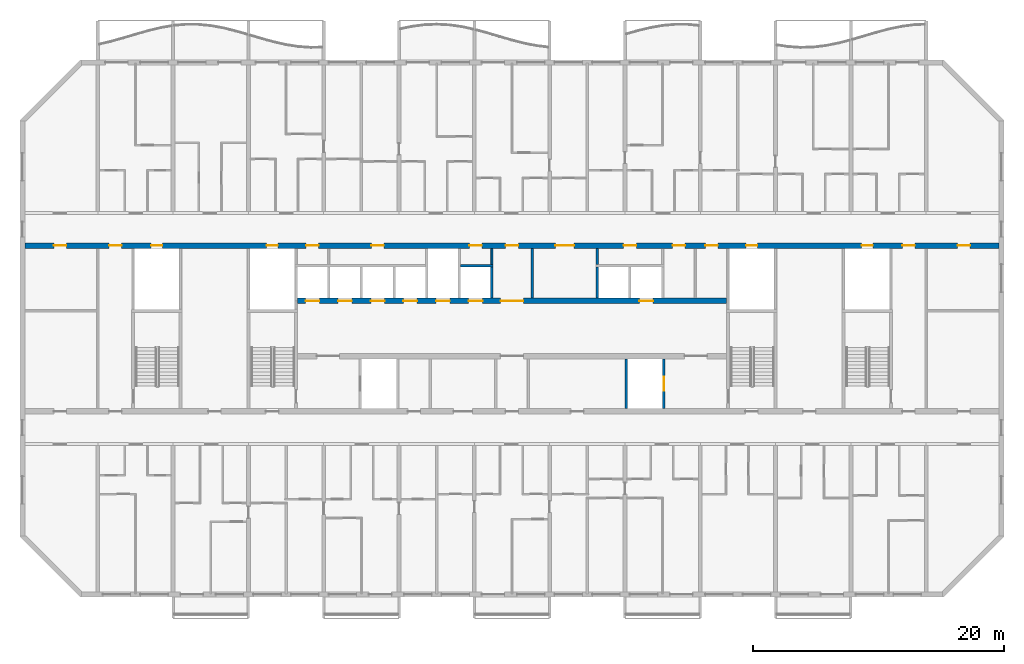
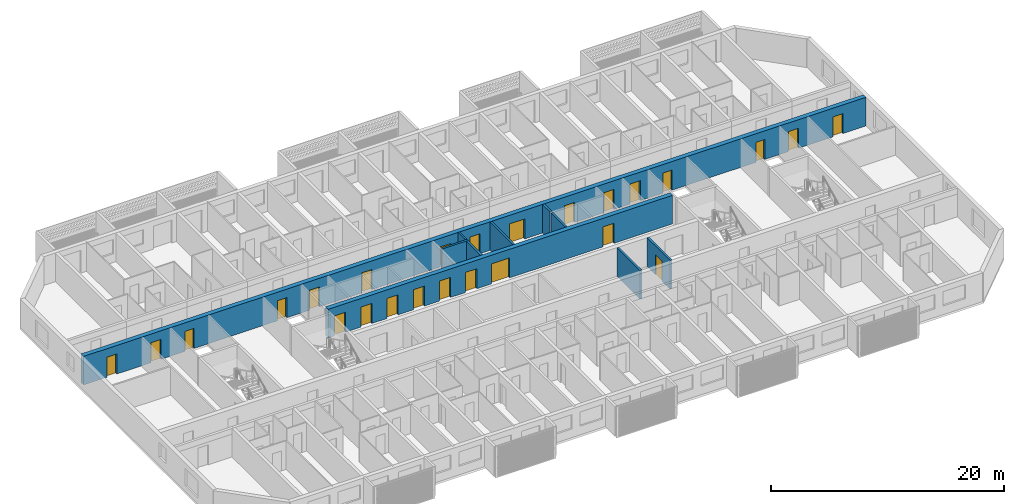
# One storey, part 7 of 32: 25 doors, 10 walls, 25 openings.
"""IFC4 building model written with IfcOpenShell, lengths in metres."""

from ifc_helpers import new_model, si_unit, direction, frame, frame_2d, origin, place, context, subcontext, project, spatial, rectangle, extrude, material, layer, layer_set, type_object, element, fill, save


model = new_model("IFC4")

# Units and contexts
model_context = context("Model", 3, precision=1e-05, world=origin(), true_north=direction((0.0, 1.0)))
body_context = subcontext(model_context, "Body", "Model", "MODEL_VIEW")
ifc_project = project(units=[si_unit("LENGTHUNIT", "METRE"), si_unit("AREAUNIT", "SQUARE_METRE"), si_unit("VOLUMEUNIT", "CUBIC_METRE"), si_unit("PLANEANGLEUNIT", "RADIAN"), si_unit("MASSUNIT", "GRAM", prefix="KILO")], contexts=[model_context])

# Site, building, storey
site_placement = place(None, origin())
site = spatial("IfcSite", under=ifc_project, at=site_placement, CompositionType="ELEMENT")
building_placement = place(site_placement, origin())
building = spatial("IfcBuilding", under=site, at=building_placement, Name="Poui Terraces", CompositionType="ELEMENT")
storey_placement = place(building_placement, frame((0.0, 0.0, 155.39990234375)))
storey = spatial("IfcBuildingStorey", under=building, at=storey_placement, Name="L43", CompositionType="ELEMENT", Elevation=155.39990234375)

# Wall, openings, doors
ifc_material_1 = material(Name="Concrete 65 MPa", Category="concrete")
ifc_layer_1 = layer(ifc_material_1, 0.449951171875)
ifc_layer_set_1 = layer_set([ifc_layer_1], Name="Concrete 65 MPa")
wall_type_1 = type_object("IfcWallType", Name="CORE WALL 450 65 MPA", PredefinedType="SOLIDWALL", material=ifc_layer_set_1)
wall_1_placement = place(storey_placement, frame((33.925048828125, 23.39990234375, 0.0), z_axis=(0.0, 0.0, 1.0), x_axis=(1.0, 0.0, 0.0)))
wall_1 = element("IfcWall", 1, at=wall_1_placement, inside=storey, type_object=wall_type_1, Name="CORE WALL", PredefinedType="SOLIDWALL", context=body_context, shape_type="SweptSolid", body=[
    extrude(rectangle(XDim=34.14990234375, YDim=0.449951171875, at=frame_2d((17.074951171875, 0.0))), origin(), (0.0, 0.0, 1.0), 3.0),
])
opening_1_placement = place(wall_1_placement, frame((16.175048828125, 0.0, 0.0)))
opening_1 = element("IfcOpeningElement", 2, at=opening_1_placement, cuts=wall_1, Name="Opening FDD60", PredefinedType="OPENING", context=body_context, shape_type="SweptSolid", body=[
    extrude(rectangle(XDim=1.800048828125, YDim=2.10009765625, at=frame_2d((0.89990234375, 1.050048828125))), frame((0.0, 0.23486328125, 0.0), z_axis=(0.0, -1.0, 0.0), x_axis=(1.0, 0.0, 0.0)), (0.0, 0.0, 1.0), 0.469970703125),
])
opening_2_placement = place(wall_1_placement, frame((0.625, 0.0, 0.0)))
opening_2 = element("IfcOpeningElement", 3, at=opening_2_placement, cuts=wall_1, Name="Opening LD", PredefinedType="OPENING", context=body_context, shape_type="SweptSolid", body=[
    extrude(rectangle(XDim=1.10009765625, YDim=2.10009765625, at=frame_2d((0.550048828125, 1.050048828125))), frame((0.0, 0.23486328125, 0.0), z_axis=(0.0, -1.0, 0.0), x_axis=(1.0, 0.0, 0.0)), (0.0, 0.0, 1.0), 0.469970703125),
])
opening_3_placement = place(wall_1_placement, frame((3.22509765625, 0.0, 0.0)))
opening_3 = element("IfcOpeningElement", 4, at=opening_3_placement, cuts=wall_1, Name="Opening LD", PredefinedType="OPENING", context=body_context, shape_type="SweptSolid", body=[
    extrude(rectangle(XDim=1.10009765625, YDim=2.10009765625, at=frame_2d((0.550048828125, 1.050048828125))), frame((0.0, 0.23486328125, 0.0), z_axis=(0.0, -1.0, 0.0), x_axis=(1.0, 0.0, 0.0)), (0.0, 0.0, 1.0), 0.469970703125),
])
opening_4_placement = place(wall_1_placement, frame((5.824951171875, 0.0, 0.0)))
opening_4 = element("IfcOpeningElement", 5, at=opening_4_placement, cuts=wall_1, Name="Opening LD", PredefinedType="OPENING", context=body_context, shape_type="SweptSolid", body=[
    extrude(rectangle(XDim=1.10009765625, YDim=2.10009765625, at=frame_2d((0.550048828125, 1.050048828125))), frame((0.0, 0.23486328125, 0.0), z_axis=(0.0, -1.0, 0.0), x_axis=(1.0, 0.0, 0.0)), (0.0, 0.0, 1.0), 0.469970703125),
])
opening_5_placement = place(wall_1_placement, frame((8.425048828125, 0.0, 0.0)))
opening_5 = element("IfcOpeningElement", 6, at=opening_5_placement, cuts=wall_1, Name="Opening LD", PredefinedType="OPENING", context=body_context, shape_type="SweptSolid", body=[
    extrude(rectangle(XDim=1.10009765625, YDim=2.10009765625, at=frame_2d((0.550048828125, 1.050048828125))), frame((0.0, 0.23486328125, 0.0), z_axis=(0.0, -1.0, 0.0), x_axis=(1.0, 0.0, 0.0)), (0.0, 0.0, 1.0), 0.469970703125),
])
opening_6_placement = place(wall_1_placement, frame((11.02490234375, 0.0, 0.0)))
opening_6 = element("IfcOpeningElement", 7, at=opening_6_placement, cuts=wall_1, Name="Opening LD", PredefinedType="OPENING", context=body_context, shape_type="SweptSolid", body=[
    extrude(rectangle(XDim=1.10009765625, YDim=2.10009765625, at=frame_2d((0.550048828125, 1.050048828125))), frame((0.0, 0.23486328125, 0.0), z_axis=(0.0, -1.0, 0.0), x_axis=(1.0, 0.0, 0.0)), (0.0, 0.0, 1.0), 0.469970703125),
])
opening_7_placement = place(wall_1_placement, frame((13.625, 0.0, 0.0)))
opening_7 = element("IfcOpeningElement", 8, at=opening_7_placement, cuts=wall_1, Name="Opening LD", PredefinedType="OPENING", context=body_context, shape_type="SweptSolid", body=[
    extrude(rectangle(XDim=1.10009765625, YDim=2.10009765625, at=frame_2d((0.550048828125, 1.050048828125))), frame((0.0, 0.23486328125, 0.0), z_axis=(0.0, -1.0, 0.0), x_axis=(1.0, 0.0, 0.0)), (0.0, 0.0, 1.0), 0.469970703125),
])
opening_8_placement = place(wall_1_placement, frame((27.22509765625, 0.0, 0.0)))
opening_8 = element("IfcOpeningElement", 9, at=opening_8_placement, cuts=wall_1, Name="Opening LD", PredefinedType="OPENING", context=body_context, shape_type="SweptSolid", body=[
    extrude(rectangle(XDim=1.10009765625, YDim=2.10009765625, at=frame_2d((0.550048828125, 1.050048828125))), frame((0.0, 0.23486328125, 0.0), z_axis=(0.0, -1.0, 0.0), x_axis=(1.0, 0.0, 0.0)), (0.0, 0.0, 1.0), 0.469970703125),
])
ifc_material_2 = material(Name="Steel fire door", Category="steel")
door_type_1 = type_object("IfcDoorType", Name="DOUBLE LOBBY FIRE DOOR 1800 X 2100", OperationType="DOUBLE_DOOR_SINGLE_SWING", PredefinedType="DOOR", material=ifc_material_2)
door_1_placement = place(opening_1_placement, origin())
door_1 = element("IfcDoor", 10, at=door_1_placement, inside=storey, type_object=door_type_1, Name="DOUBLE LOBBY FIRE DOOR 123", OperationType="DOUBLE_DOOR_SINGLE_SWING", OverallHeight=2.10009765625, OverallWidth=1.800048828125, PredefinedType="DOOR", context=body_context, shape_type="SweptSolid", body=[
    extrude(rectangle(XDim=1.800048828125, YDim=2.10009765625, at=frame_2d((0.89990234375, 1.050048828125))), frame((0.0, 0.02490234375, 0.0), z_axis=(0.0, -1.0, 0.0), x_axis=(1.0, 0.0, 0.0)), (0.0, 0.0, 1.0), 0.050048828125),
])
fill(opening_1, door_1)
ifc_material_3 = material(Name="Stainless steel sliding door", Category="steel")
door_type_2 = type_object("IfcDoorType", Name="LIFT LANDING DOOR 1100 X 2100", OperationType="DOUBLE_DOOR_SLIDING", PredefinedType="DOOR", material=ifc_material_3)
door_2_placement = place(opening_2_placement, origin())
door_2 = element("IfcDoor", 11, at=door_2_placement, inside=storey, type_object=door_type_2, Name="LANDING DOOR", OperationType="DOUBLE_DOOR_SLIDING", OverallHeight=2.10009765625, OverallWidth=1.10009765625, PredefinedType="DOOR", context=body_context, shape_type="SweptSolid", body=[
    extrude(rectangle(XDim=1.10009765625, YDim=2.10009765625, at=frame_2d((0.550048828125, 1.050048828125))), frame((0.0, 0.02490234375, 0.0), z_axis=(0.0, -1.0, 0.0), x_axis=(1.0, 0.0, 0.0)), (0.0, 0.0, 1.0), 0.050048828125),
])
fill(opening_2, door_2)
door_3_placement = place(opening_3_placement, origin())
door_3 = element("IfcDoor", 12, at=door_3_placement, inside=storey, type_object=door_type_2, Name="LANDING DOOR", OperationType="DOUBLE_DOOR_SLIDING", OverallHeight=2.10009765625, OverallWidth=1.10009765625, PredefinedType="DOOR", context=body_context, shape_type="SweptSolid", body=[
    extrude(rectangle(XDim=1.10009765625, YDim=2.10009765625, at=frame_2d((0.550048828125, 1.050048828125))), frame((0.0, 0.02490234375, 0.0), z_axis=(0.0, -1.0, 0.0), x_axis=(1.0, 0.0, 0.0)), (0.0, 0.0, 1.0), 0.050048828125),
])
fill(opening_3, door_3)
door_4_placement = place(opening_4_placement, origin())
door_4 = element("IfcDoor", 13, at=door_4_placement, inside=storey, type_object=door_type_2, Name="LANDING DOOR", OperationType="DOUBLE_DOOR_SLIDING", OverallHeight=2.10009765625, OverallWidth=1.10009765625, PredefinedType="DOOR", context=body_context, shape_type="SweptSolid", body=[
    extrude(rectangle(XDim=1.10009765625, YDim=2.10009765625, at=frame_2d((0.550048828125, 1.050048828125))), frame((0.0, 0.02490234375, 0.0), z_axis=(0.0, -1.0, 0.0), x_axis=(1.0, 0.0, 0.0)), (0.0, 0.0, 1.0), 0.050048828125),
])
fill(opening_4, door_4)
door_5_placement = place(opening_5_placement, origin())
door_5 = element("IfcDoor", 14, at=door_5_placement, inside=storey, type_object=door_type_2, Name="LANDING DOOR", OperationType="DOUBLE_DOOR_SLIDING", OverallHeight=2.10009765625, OverallWidth=1.10009765625, PredefinedType="DOOR", context=body_context, shape_type="SweptSolid", body=[
    extrude(rectangle(XDim=1.10009765625, YDim=2.10009765625, at=frame_2d((0.550048828125, 1.050048828125))), frame((0.0, 0.02490234375, 0.0), z_axis=(0.0, -1.0, 0.0), x_axis=(1.0, 0.0, 0.0)), (0.0, 0.0, 1.0), 0.050048828125),
])
fill(opening_5, door_5)
door_6_placement = place(opening_6_placement, origin())
door_6 = element("IfcDoor", 15, at=door_6_placement, inside=storey, type_object=door_type_2, Name="LANDING DOOR", OperationType="DOUBLE_DOOR_SLIDING", OverallHeight=2.10009765625, OverallWidth=1.10009765625, PredefinedType="DOOR", context=body_context, shape_type="SweptSolid", body=[
    extrude(rectangle(XDim=1.10009765625, YDim=2.10009765625, at=frame_2d((0.550048828125, 1.050048828125))), frame((0.0, 0.02490234375, 0.0), z_axis=(0.0, -1.0, 0.0), x_axis=(1.0, 0.0, 0.0)), (0.0, 0.0, 1.0), 0.050048828125),
])
fill(opening_6, door_6)
door_7_placement = place(opening_7_placement, origin())
door_7 = element("IfcDoor", 16, at=door_7_placement, inside=storey, type_object=door_type_2, Name="LANDING DOOR", OperationType="DOUBLE_DOOR_SLIDING", OverallHeight=2.10009765625, OverallWidth=1.10009765625, PredefinedType="DOOR", context=body_context, shape_type="SweptSolid", body=[
    extrude(rectangle(XDim=1.10009765625, YDim=2.10009765625, at=frame_2d((0.550048828125, 1.050048828125))), frame((0.0, 0.02490234375, 0.0), z_axis=(0.0, -1.0, 0.0), x_axis=(1.0, 0.0, 0.0)), (0.0, 0.0, 1.0), 0.050048828125),
])
fill(opening_7, door_7)
door_8_placement = place(opening_8_placement, origin())
door_8 = element("IfcDoor", 17, at=door_8_placement, inside=storey, type_object=door_type_2, Name="LANDING DOOR", OperationType="DOUBLE_DOOR_SLIDING", OverallHeight=2.10009765625, OverallWidth=1.10009765625, PredefinedType="DOOR", context=body_context, shape_type="SweptSolid", body=[
    extrude(rectangle(XDim=1.10009765625, YDim=2.10009765625, at=frame_2d((0.550048828125, 1.050048828125))), frame((0.0, 0.02490234375, 0.0), z_axis=(0.0, -1.0, 0.0), x_axis=(1.0, 0.0, 0.0)), (0.0, 0.0, 1.0), 0.050048828125),
])
fill(opening_8, door_8)

# Walls
ifc_material_4 = material(Name="Fire-rated plasterboard wall")
ifc_layer_2 = layer(ifc_material_4, 0.14990234375)
ifc_layer_set_2 = layer_set([ifc_layer_2], Name="Fire-rated plasterboard wall")
wall_type_2 = type_object("IfcWallType", Name="CORRIDOR WALL 150", PredefinedType="PARTITIONING", material=ifc_layer_set_2)
wall_2_placement = place(storey_placement, frame((49.39990234375, 26.300048828125, 0.0), z_axis=(0.0, 0.0, 1.0), x_axis=(0.0, 1.0, 0.0)))
element("IfcWall", 18, at=wall_2_placement, inside=storey, type_object=wall_type_2, Name="CORRIDOR WALL 150", PredefinedType="PARTITIONING", context=body_context, shape_type="SweptSolid", body=[
    extrude(rectangle(XDim=1.264892578125, YDim=0.14990234375, at=frame_2d((0.63232421875, 0.0))), origin(), (0.0, 0.0, 1.0), 3.0),
])
ifc_material_5 = material(Name="Fire-rated masonry wall", Category="masonry")
ifc_layer_3 = layer(ifc_material_5, 0.199951171875)
ifc_layer_set_3 = layer_set([ifc_layer_3], Name="Fire-rated masonry wall")
wall_type_3 = type_object("IfcWallType", Name="PLANT ROOM WALL 200", PredefinedType="PARTITIONING", material=ifc_layer_set_3)
wall_3_placement = place(storey_placement, frame((52.60009765625, 23.635009765625, 0.0), z_axis=(0.0, 0.0, 1.0), x_axis=(0.0, 1.0, 0.0)))
element("IfcWall", 19, at=wall_3_placement, inside=storey, type_object=wall_type_3, Name="PLANT ROOM WALL 200", PredefinedType="PARTITIONING", context=body_context, shape_type="SweptSolid", body=[
    extrude(rectangle(XDim=3.929931640625, YDim=0.199951171875, at=frame_2d((1.96484375, 0.0))), origin(), (0.0, 0.0, 1.0), 3.0),
])
wall_4_placement = place(storey_placement, frame((57.800048828125, 26.300048828125, 0.0), z_axis=(0.0, 0.0, 1.0), x_axis=(0.0, 1.0, 0.0)))
element("IfcWall", 20, at=wall_4_placement, inside=storey, type_object=wall_type_3, Name="PLANT ROOM WALL 200", PredefinedType="PARTITIONING", context=body_context, shape_type="SweptSolid", body=[
    extrude(rectangle(XDim=1.264892578125, YDim=0.199951171875, at=frame_2d((0.63232421875, 0.0))), origin(), (0.0, 0.0, 1.0), 3.0),
])
ifc_material_6 = material(Name="Fire-rated masonry shaft wall", Category="masonry")
ifc_layer_4 = layer(ifc_material_6, 0.199951171875)
ifc_layer_set_4 = layer_set([ifc_layer_4], Name="Fire-rated masonry shaft wall")
wall_type_4 = type_object("IfcWallType", Name="SHAFT WALL 200", PredefinedType="PARTITIONING", material=ifc_layer_set_4)
wall_5_placement = place(storey_placement, frame((46.89990234375, 26.199951171875, 0.0), z_axis=(0.0, 0.0, 1.0), x_axis=(1.0, 0.0, 0.0)))
element("IfcWall", 21, at=wall_5_placement, inside=storey, type_object=wall_type_4, Name="SHAFT WALL 200", PredefinedType="PARTITIONING", context=body_context, shape_type="SweptSolid", body=[
    extrude(rectangle(XDim=2.60009765625, YDim=0.199951171875, at=frame_2d((1.300048828125, 0.0))), origin(), (0.0, 0.0, 1.0), 3.0),
])
for number, where, z_axis, x_axis, name in (
    (22, (49.39990234375, 23.635009765625, 0.0), (0.0, 0.0, 1.0), (0.0, 1.0, 0.0), "SHAFT WALL 200"),
    (23, (57.800048828125, 23.635009765625, 0.0), (0.0, 0.0, 1.0), (0.0, 1.0, 0.0), "SHAFT WALL 200"),
):
    element("IfcWall", number, at=place(storey_placement, frame(where, z_axis=z_axis, x_axis=x_axis)), inside=storey, type_object=wall_type_4, Name=name, PredefinedType="PARTITIONING", context=body_context, shape_type="SweptSolid", body=[
        extrude(rectangle(XDim=2.465087890625, YDim=0.199951171875, at=frame_2d((1.232421875, 0.0))), origin(), (0.0, 0.0, 1.0), 3.0),
    ])
wall_6_placement = place(storey_placement, frame((60.10009765625, 14.8349609375, 0.0), z_axis=(0.0, 0.0, 1.0), x_axis=(0.0, 1.0, 0.0)))
element("IfcWall", 24, at=wall_6_placement, inside=storey, type_object=wall_type_4, Name="SHAFT WALL 200", PredefinedType="PARTITIONING", context=body_context, shape_type="SweptSolid", body=[
    extrude(rectangle(XDim=3.929931640625, YDim=0.199951171875, at=frame_2d((1.96484375, 0.0))), origin(), (0.0, 0.0, 1.0), 3.0),
])

# Wall, opening, door
wall_7_placement = place(storey_placement, frame((63.10009765625, 14.8349609375, 0.0), z_axis=(0.0, 0.0, 1.0), x_axis=(0.0, 1.0, 0.0)))
wall_7 = element("IfcWall", 25, at=wall_7_placement, inside=storey, type_object=wall_type_4, Name="SHAFT WALL 200", PredefinedType="PARTITIONING", context=body_context, shape_type="SweptSolid", body=[
    extrude(rectangle(XDim=3.929931640625, YDim=0.199951171875, at=frame_2d((1.96484375, 0.0))), origin(), (0.0, 0.0, 1.0), 3.0),
])
opening_9_placement = place(wall_7_placement, frame((1.4150390625, 0.0, 0.0)))
opening_9 = element("IfcOpeningElement", 26, at=opening_9_placement, cuts=wall_7, Name="Opening LD", PredefinedType="OPENING", context=body_context, shape_type="SweptSolid", body=[
    extrude(rectangle(XDim=1.10009765625, YDim=2.10009765625, at=frame_2d((0.550048828125, 1.050048828125))), frame((0.0, 0.10986328125, 0.0), z_axis=(0.0, -1.0, 0.0), x_axis=(1.0, 0.0, 0.0)), (0.0, 0.0, 1.0), 0.219970703125),
])
door_9_placement = place(opening_9_placement, origin())
door_9 = element("IfcDoor", 27, at=door_9_placement, inside=storey, type_object=door_type_2, Name="LANDING DOOR", OperationType="DOUBLE_DOOR_SLIDING", OverallHeight=2.10009765625, OverallWidth=1.10009765625, PredefinedType="DOOR", context=body_context, shape_type="SweptSolid", body=[
    extrude(rectangle(XDim=1.10009765625, YDim=2.10009765625, at=frame_2d((0.550048828125, 1.050048828125))), frame((0.0, 0.02490234375, 0.0), z_axis=(0.0, -1.0, 0.0), x_axis=(1.0, 0.0, 0.0)), (0.0, 0.0, 1.0), 0.050048828125),
])
fill(opening_9, door_9)

# Wall, openings, doors
ifc_layer_5 = layer(ifc_material_1, 0.449951171875)
ifc_layer_set_5 = layer_set([ifc_layer_5], Name="Concrete 65 MPa")
wall_type_5 = type_object("IfcWallType", Name="SPINE WALL 450 65 MPA", PredefinedType="SOLIDWALL", material=ifc_layer_set_5)
wall_8_placement = place(storey_placement, frame((12.199951171875, 27.800048828125, 0.0), z_axis=(0.0, 0.0, 1.0), x_axis=(1.0, 0.0, 0.0)))
wall_8 = element("IfcWall", 28, at=wall_8_placement, inside=storey, type_object=wall_type_5, Name="SPINE WALL", PredefinedType="SOLIDWALL", context=body_context, shape_type="SweptSolid", body=[
    extrude(rectangle(XDim=77.60009765625, YDim=0.449951171875, at=frame_2d((38.800048828125, 0.0))), origin(), (0.0, 0.0, 1.0), 3.0),
])
opening_10_placement = place(wall_8_placement, frame((2.300048828125, 0.0, 0.0)))
opening_10 = element("IfcOpeningElement", 29, at=opening_10_placement, cuts=wall_8, Name="Opening FD60", PredefinedType="OPENING", context=body_context, shape_type="SweptSolid", body=[
    extrude(rectangle(XDim=1.0, YDim=2.10009765625, at=frame_2d((0.5, 1.050048828125))), frame((0.0, 0.23486328125, 0.0), z_axis=(0.0, -1.0, 0.0), x_axis=(1.0, 0.0, 0.0)), (0.0, 0.0, 1.0), 0.469970703125),
])
opening_11_placement = place(wall_8_placement, frame((6.699951171875, 0.0, 0.0)))
opening_11 = element("IfcOpeningElement", 30, at=opening_11_placement, cuts=wall_8, Name="Opening FDL", PredefinedType="OPENING", context=body_context, shape_type="SweptSolid", body=[
    extrude(rectangle(XDim=1.0, YDim=2.10009765625, at=frame_2d((0.5, 1.050048828125))), frame((0.0, 0.23486328125, 0.0), z_axis=(0.0, -1.0, 0.0), x_axis=(1.0, 0.0, 0.0)), (0.0, 0.0, 1.0), 0.469970703125),
])
opening_12_placement = place(wall_8_placement, frame((10.050048828125, 0.0, 0.0)))
opening_12 = element("IfcOpeningElement", 31, at=opening_12_placement, cuts=wall_8, Name="Opening FDR", PredefinedType="OPENING", context=body_context, shape_type="SweptSolid", body=[
    extrude(rectangle(XDim=0.89990234375, YDim=2.10009765625, at=frame_2d((0.449951171875, 1.050048828125))), frame((0.0, 0.23486328125, 0.0), z_axis=(0.0, -1.0, 0.0), x_axis=(1.0, 0.0, 0.0)), (0.0, 0.0, 1.0), 0.469970703125),
])
opening_13_placement = place(wall_8_placement, frame((19.25, 0.0, 0.0)))
opening_13 = element("IfcOpeningElement", 32, at=opening_13_placement, cuts=wall_8, Name="Opening FDR", PredefinedType="OPENING", context=body_context, shape_type="SweptSolid", body=[
    extrude(rectangle(XDim=0.89990234375, YDim=2.10009765625, at=frame_2d((0.449951171875, 1.050048828125))), frame((0.0, 0.23486328125, 0.0), z_axis=(0.0, -1.0, 0.0), x_axis=(1.0, 0.0, 0.0)), (0.0, 0.0, 1.0), 0.469970703125),
])
opening_14_placement = place(wall_8_placement, frame((22.39990234375, 0.0, 0.0)))
opening_14 = element("IfcOpeningElement", 33, at=opening_14_placement, cuts=wall_8, Name="Opening FD60", PredefinedType="OPENING", context=body_context, shape_type="SweptSolid", body=[
    extrude(rectangle(XDim=1.0, YDim=2.10009765625, at=frame_2d((0.5, 1.050048828125))), frame((0.0, 0.23486328125, 0.0), z_axis=(0.0, -1.0, 0.0), x_axis=(1.0, 0.0, 0.0)), (0.0, 0.0, 1.0), 0.469970703125),
])
opening_15_placement = place(wall_8_placement, frame((27.60009765625, 0.0, 0.0)))
opening_15 = element("IfcOpeningElement", 34, at=opening_15_placement, cuts=wall_8, Name="Opening FD60", PredefinedType="OPENING", context=body_context, shape_type="SweptSolid", body=[
    extrude(rectangle(XDim=1.0, YDim=2.10009765625, at=frame_2d((0.5, 1.050048828125))), frame((0.0, 0.23486328125, 0.0), z_axis=(0.0, -1.0, 0.0), x_axis=(1.0, 0.0, 0.0)), (0.0, 0.0, 1.0), 0.469970703125),
])
opening_16_placement = place(wall_8_placement, frame((35.39990234375, 0.0, 0.0)))
opening_16 = element("IfcOpeningElement", 35, at=opening_16_placement, cuts=wall_8, Name="Opening FD60", PredefinedType="OPENING", context=body_context, shape_type="SweptSolid", body=[
    extrude(rectangle(XDim=1.0, YDim=2.10009765625, at=frame_2d((0.5, 1.050048828125))), frame((0.0, 0.23486328125, 0.0), z_axis=(0.0, -1.0, 0.0), x_axis=(1.0, 0.0, 0.0)), (0.0, 0.0, 1.0), 0.469970703125),
])
opening_17_placement = place(wall_8_placement, frame((38.300048828125, 0.0, 0.0)))
opening_17 = element("IfcOpeningElement", 36, at=opening_17_placement, cuts=wall_8, Name="Opening FDL", PredefinedType="OPENING", context=body_context, shape_type="SweptSolid", body=[
    extrude(rectangle(XDim=1.0, YDim=2.10009765625, at=frame_2d((0.5, 1.050048828125))), frame((0.0, 0.23486328125, 0.0), z_axis=(0.0, -1.0, 0.0), x_axis=(1.0, 0.0, 0.0)), (0.0, 0.0, 1.0), 0.469970703125),
])
opening_18_placement = place(wall_8_placement, frame((42.25, 0.0, 0.0)))
opening_18 = element("IfcOpeningElement", 37, at=opening_18_placement, cuts=wall_8, Name="Opening FDP", PredefinedType="OPENING", context=body_context, shape_type="SweptSolid", body=[
    extrude(rectangle(XDim=1.5, YDim=2.10009765625, at=frame_2d((0.75, 1.050048828125))), frame((0.0, 0.23486328125, 0.0), z_axis=(0.0, -1.0, 0.0), x_axis=(1.0, 0.0, 0.0)), (0.0, 0.0, 1.0), 0.469970703125),
])
opening_19_placement = place(wall_8_placement, frame((47.699951171875, 0.0, 0.0)))
opening_19 = element("IfcOpeningElement", 38, at=opening_19_placement, cuts=wall_8, Name="Opening FD60", PredefinedType="OPENING", context=body_context, shape_type="SweptSolid", body=[
    extrude(rectangle(XDim=1.0, YDim=2.10009765625, at=frame_2d((0.5, 1.050048828125))), frame((0.0, 0.23486328125, 0.0), z_axis=(0.0, -1.0, 0.0), x_axis=(1.0, 0.0, 0.0)), (0.0, 0.0, 1.0), 0.469970703125),
])
opening_20_placement = place(wall_8_placement, frame((51.60009765625, 0.0, 0.0)))
opening_20 = element("IfcOpeningElement", 39, at=opening_20_placement, cuts=wall_8, Name="Opening FD60", PredefinedType="OPENING", context=body_context, shape_type="SweptSolid", body=[
    extrude(rectangle(XDim=1.0, YDim=2.10009765625, at=frame_2d((0.5, 1.050048828125))), frame((0.0, 0.23486328125, 0.0), z_axis=(0.0, -1.0, 0.0), x_axis=(1.0, 0.0, 0.0)), (0.0, 0.0, 1.0), 0.469970703125),
])
opening_21_placement = place(wall_8_placement, frame((54.199951171875, 0.0, 0.0)))
opening_21 = element("IfcOpeningElement", 40, at=opening_21_placement, cuts=wall_8, Name="Opening FD60", PredefinedType="OPENING", context=body_context, shape_type="SweptSolid", body=[
    extrude(rectangle(XDim=1.0, YDim=2.10009765625, at=frame_2d((0.5, 1.050048828125))), frame((0.0, 0.23486328125, 0.0), z_axis=(0.0, -1.0, 0.0), x_axis=(1.0, 0.0, 0.0)), (0.0, 0.0, 1.0), 0.469970703125),
])
opening_22_placement = place(wall_8_placement, frame((57.449951171875, 0.0, 0.0)))
opening_22 = element("IfcOpeningElement", 41, at=opening_22_placement, cuts=wall_8, Name="Opening FDR", PredefinedType="OPENING", context=body_context, shape_type="SweptSolid", body=[
    extrude(rectangle(XDim=0.89990234375, YDim=2.10009765625, at=frame_2d((0.449951171875, 1.050048828125))), frame((0.0, 0.23486328125, 0.0), z_axis=(0.0, -1.0, 0.0), x_axis=(1.0, 0.0, 0.0)), (0.0, 0.0, 1.0), 0.469970703125),
])
opening_23_placement = place(wall_8_placement, frame((66.64990234375, 0.0, 0.0)))
opening_23 = element("IfcOpeningElement", 42, at=opening_23_placement, cuts=wall_8, Name="Opening FDR", PredefinedType="OPENING", context=body_context, shape_type="SweptSolid", body=[
    extrude(rectangle(XDim=0.89990234375, YDim=2.10009765625, at=frame_2d((0.449951171875, 1.050048828125))), frame((0.0, 0.23486328125, 0.0), z_axis=(0.0, -1.0, 0.0), x_axis=(1.0, 0.0, 0.0)), (0.0, 0.0, 1.0), 0.469970703125),
])
opening_24_placement = place(wall_8_placement, frame((69.89990234375, 0.0, 0.0)))
opening_24 = element("IfcOpeningElement", 43, at=opening_24_placement, cuts=wall_8, Name="Opening FDL", PredefinedType="OPENING", context=body_context, shape_type="SweptSolid", body=[
    extrude(rectangle(XDim=1.0, YDim=2.10009765625, at=frame_2d((0.5, 1.050048828125))), frame((0.0, 0.23486328125, 0.0), z_axis=(0.0, -1.0, 0.0), x_axis=(1.0, 0.0, 0.0)), (0.0, 0.0, 1.0), 0.469970703125),
])
opening_25_placement = place(wall_8_placement, frame((74.300048828125, 0.0, 0.0)))
opening_25 = element("IfcOpeningElement", 44, at=opening_25_placement, cuts=wall_8, Name="Opening D100", PredefinedType="OPENING", context=body_context, shape_type="SweptSolid", body=[
    extrude(rectangle(XDim=1.0, YDim=2.10009765625, at=frame_2d((0.5, 1.050048828125))), frame((0.0, 0.23486328125, 0.0), z_axis=(0.0, -1.0, 0.0), x_axis=(1.0, 0.0, 0.0)), (0.0, 0.0, 1.0), 0.469970703125),
])
ifc_material_7 = material(Name="Solid core timber door", Category="wood")
door_type_3 = type_object("IfcDoorType", Name="ACCESSIBLE INTERNAL DOOR 1000 X 2100", OperationType="NOTDEFINED", PredefinedType="DOOR", material=ifc_material_7)
door_10_placement = place(opening_25_placement, origin())
door_10 = element("IfcDoor", 45, at=door_10_placement, inside=storey, type_object=door_type_3, Name="ACCESSIBLE INTERNAL DOOR 016", OperationType="SINGLE_SWING_RIGHT", OverallHeight=2.10009765625, OverallWidth=1.0, PredefinedType="DOOR", context=body_context, shape_type="SweptSolid", body=[
    extrude(rectangle(XDim=1.0, YDim=2.10009765625, at=frame_2d((0.5, 1.050048828125))), frame((0.0, 0.02490234375, 0.0), z_axis=(0.0, -1.0, 0.0), x_axis=(1.0, 0.0, 0.0)), (0.0, 0.0, 1.0), 0.050048828125),
])
fill(opening_25, door_10)
door_type_4 = type_object("IfcDoorType", Name="LOBBY FIRE DOOR 1000 X 2100", OperationType="NOTDEFINED", PredefinedType="DOOR", material=ifc_material_2)
door_11_placement = place(opening_11_placement, origin())
door_11 = element("IfcDoor", 46, at=door_11_placement, inside=storey, type_object=door_type_4, Name="LOBBY FIRE DOOR 002", OperationType="SINGLE_SWING_LEFT", OverallHeight=2.10009765625, OverallWidth=1.0, PredefinedType="DOOR", context=body_context, shape_type="SweptSolid", body=[
    extrude(rectangle(XDim=1.0, YDim=2.10009765625, at=frame_2d((0.5, 1.050048828125))), frame((0.0, 0.02490234375, 0.0), z_axis=(0.0, -1.0, 0.0), x_axis=(1.0, 0.0, 0.0)), (0.0, 0.0, 1.0), 0.050048828125),
])
fill(opening_11, door_11)
door_12_placement = place(opening_17_placement, origin())
door_12 = element("IfcDoor", 47, at=door_12_placement, inside=storey, type_object=door_type_4, Name="LOBBY FIRE DOOR 008", OperationType="SINGLE_SWING_RIGHT", OverallHeight=2.10009765625, OverallWidth=1.0, PredefinedType="DOOR", context=body_context, shape_type="SweptSolid", body=[
    extrude(rectangle(XDim=1.0, YDim=2.10009765625, at=frame_2d((0.5, 1.050048828125))), frame((0.0, 0.02490234375, 0.0), z_axis=(0.0, -1.0, 0.0), x_axis=(1.0, 0.0, 0.0)), (0.0, 0.0, 1.0), 0.050048828125),
])
fill(opening_17, door_12)
door_13_placement = place(opening_24_placement, origin())
door_13 = element("IfcDoor", 48, at=door_13_placement, inside=storey, type_object=door_type_4, Name="LOBBY FIRE DOOR 015", OperationType="SINGLE_SWING_RIGHT", OverallHeight=2.10009765625, OverallWidth=1.0, PredefinedType="DOOR", context=body_context, shape_type="SweptSolid", body=[
    extrude(rectangle(XDim=1.0, YDim=2.10009765625, at=frame_2d((0.5, 1.050048828125))), frame((0.0, 0.02490234375, 0.0), z_axis=(0.0, -1.0, 0.0), x_axis=(1.0, 0.0, 0.0)), (0.0, 0.0, 1.0), 0.050048828125),
])
fill(opening_24, door_13)
door_type_5 = type_object("IfcDoorType", Name="PLANT ROOM DOOR PAIR 1500 X 2100", OperationType="DOUBLE_DOOR_SINGLE_SWING", PredefinedType="DOOR", material=ifc_material_2)
door_14_placement = place(opening_18_placement, origin())
door_14 = element("IfcDoor", 49, at=door_14_placement, inside=storey, type_object=door_type_5, Name="PLANT ROOM DOOR PAIR 009", OperationType="DOUBLE_DOOR_SINGLE_SWING", OverallHeight=2.10009765625, OverallWidth=1.5, PredefinedType="DOOR", context=body_context, shape_type="SweptSolid", body=[
    extrude(rectangle(XDim=1.5, YDim=2.10009765625, at=frame_2d((0.75, 1.050048828125))), frame((0.0, 0.02490234375, 0.0), z_axis=(0.0, -1.0, 0.0), x_axis=(1.0, 0.0, 0.0)), (0.0, 0.0, 1.0), 0.050048828125),
])
fill(opening_18, door_14)
door_type_6 = type_object("IfcDoorType", Name="RISER CUPBOARD DOOR 900 X 2100", OperationType="NOTDEFINED", PredefinedType="DOOR", material=ifc_material_2)
door_15_placement = place(opening_12_placement, origin())
door_15 = element("IfcDoor", 50, at=door_15_placement, inside=storey, type_object=door_type_6, Name="RISER CUPBOARD DOOR 003", OperationType="SINGLE_SWING_LEFT", OverallHeight=2.10009765625, OverallWidth=0.89990234375, PredefinedType="DOOR", context=body_context, shape_type="SweptSolid", body=[
    extrude(rectangle(XDim=0.89990234375, YDim=2.10009765625, at=frame_2d((0.449951171875, 1.050048828125))), frame((0.0, 0.02490234375, 0.0), z_axis=(0.0, -1.0, 0.0), x_axis=(1.0, 0.0, 0.0)), (0.0, 0.0, 1.0), 0.050048828125),
])
fill(opening_12, door_15)
door_16_placement = place(opening_13_placement, origin())
door_16 = element("IfcDoor", 51, at=door_16_placement, inside=storey, type_object=door_type_6, Name="RISER CUPBOARD DOOR 004", OperationType="SINGLE_SWING_LEFT", OverallHeight=2.10009765625, OverallWidth=0.89990234375, PredefinedType="DOOR", context=body_context, shape_type="SweptSolid", body=[
    extrude(rectangle(XDim=0.89990234375, YDim=2.10009765625, at=frame_2d((0.449951171875, 1.050048828125))), frame((0.0, 0.02490234375, 0.0), z_axis=(0.0, -1.0, 0.0), x_axis=(1.0, 0.0, 0.0)), (0.0, 0.0, 1.0), 0.050048828125),
])
fill(opening_13, door_16)
door_17_placement = place(opening_22_placement, origin())
door_17 = element("IfcDoor", 52, at=door_17_placement, inside=storey, type_object=door_type_6, Name="RISER CUPBOARD DOOR 013", OperationType="SINGLE_SWING_RIGHT", OverallHeight=2.10009765625, OverallWidth=0.89990234375, PredefinedType="DOOR", context=body_context, shape_type="SweptSolid", body=[
    extrude(rectangle(XDim=0.89990234375, YDim=2.10009765625, at=frame_2d((0.449951171875, 1.050048828125))), frame((0.0, 0.02490234375, 0.0), z_axis=(0.0, -1.0, 0.0), x_axis=(1.0, 0.0, 0.0)), (0.0, 0.0, 1.0), 0.050048828125),
])
fill(opening_22, door_17)
door_18_placement = place(opening_23_placement, origin())
door_18 = element("IfcDoor", 53, at=door_18_placement, inside=storey, type_object=door_type_6, Name="RISER CUPBOARD DOOR 014", OperationType="SINGLE_SWING_RIGHT", OverallHeight=2.10009765625, OverallWidth=0.89990234375, PredefinedType="DOOR", context=body_context, shape_type="SweptSolid", body=[
    extrude(rectangle(XDim=0.89990234375, YDim=2.10009765625, at=frame_2d((0.449951171875, 1.050048828125))), frame((0.0, 0.02490234375, 0.0), z_axis=(0.0, -1.0, 0.0), x_axis=(1.0, 0.0, 0.0)), (0.0, 0.0, 1.0), 0.050048828125),
])
fill(opening_23, door_18)
door_type_7 = type_object("IfcDoorType", Name="SERVICE ROOM FIRE DOOR 1000 X 2100", OperationType="NOTDEFINED", PredefinedType="DOOR", material=ifc_material_2)
door_19_placement = place(opening_10_placement, origin())
door_19 = element("IfcDoor", 54, at=door_19_placement, inside=storey, type_object=door_type_7, Name="SERVICE ROOM FIRE DOOR 001", OperationType="SINGLE_SWING_RIGHT", OverallHeight=2.10009765625, OverallWidth=1.0, PredefinedType="DOOR", context=body_context, shape_type="SweptSolid", body=[
    extrude(rectangle(XDim=1.0, YDim=2.10009765625, at=frame_2d((0.5, 1.050048828125))), frame((0.0, 0.02490234375, 0.0), z_axis=(0.0, -1.0, 0.0), x_axis=(1.0, 0.0, 0.0)), (0.0, 0.0, 1.0), 0.050048828125),
])
fill(opening_10, door_19)
door_20_placement = place(opening_14_placement, origin())
door_20 = element("IfcDoor", 55, at=door_20_placement, inside=storey, type_object=door_type_7, Name="SERVICE ROOM FIRE DOOR 005", OperationType="SINGLE_SWING_RIGHT", OverallHeight=2.10009765625, OverallWidth=1.0, PredefinedType="DOOR", context=body_context, shape_type="SweptSolid", body=[
    extrude(rectangle(XDim=1.0, YDim=2.10009765625, at=frame_2d((0.5, 1.050048828125))), frame((0.0, 0.02490234375, 0.0), z_axis=(0.0, -1.0, 0.0), x_axis=(1.0, 0.0, 0.0)), (0.0, 0.0, 1.0), 0.050048828125),
])
fill(opening_14, door_20)
door_21_placement = place(opening_15_placement, origin())
door_21 = element("IfcDoor", 56, at=door_21_placement, inside=storey, type_object=door_type_7, Name="SERVICE ROOM FIRE DOOR 006", OperationType="SINGLE_SWING_LEFT", OverallHeight=2.10009765625, OverallWidth=1.0, PredefinedType="DOOR", context=body_context, shape_type="SweptSolid", body=[
    extrude(rectangle(XDim=1.0, YDim=2.10009765625, at=frame_2d((0.5, 1.050048828125))), frame((0.0, 0.02490234375, 0.0), z_axis=(0.0, -1.0, 0.0), x_axis=(1.0, 0.0, 0.0)), (0.0, 0.0, 1.0), 0.050048828125),
])
fill(opening_15, door_21)
door_22_placement = place(opening_16_placement, origin())
door_22 = element("IfcDoor", 57, at=door_22_placement, inside=storey, type_object=door_type_7, Name="SERVICE ROOM FIRE DOOR 007", OperationType="SINGLE_SWING_RIGHT", OverallHeight=2.10009765625, OverallWidth=1.0, PredefinedType="DOOR", context=body_context, shape_type="SweptSolid", body=[
    extrude(rectangle(XDim=1.0, YDim=2.10009765625, at=frame_2d((0.5, 1.050048828125))), frame((0.0, 0.02490234375, 0.0), z_axis=(0.0, -1.0, 0.0), x_axis=(1.0, 0.0, 0.0)), (0.0, 0.0, 1.0), 0.050048828125),
])
fill(opening_16, door_22)
door_23_placement = place(opening_19_placement, origin())
door_23 = element("IfcDoor", 58, at=door_23_placement, inside=storey, type_object=door_type_7, Name="SERVICE ROOM FIRE DOOR 010", OperationType="SINGLE_SWING_RIGHT", OverallHeight=2.10009765625, OverallWidth=1.0, PredefinedType="DOOR", context=body_context, shape_type="SweptSolid", body=[
    extrude(rectangle(XDim=1.0, YDim=2.10009765625, at=frame_2d((0.5, 1.050048828125))), frame((0.0, 0.02490234375, 0.0), z_axis=(0.0, -1.0, 0.0), x_axis=(1.0, 0.0, 0.0)), (0.0, 0.0, 1.0), 0.050048828125),
])
fill(opening_19, door_23)
door_24_placement = place(opening_20_placement, origin())
door_24 = element("IfcDoor", 59, at=door_24_placement, inside=storey, type_object=door_type_7, Name="SERVICE ROOM FIRE DOOR 011", OperationType="SINGLE_SWING_LEFT", OverallHeight=2.10009765625, OverallWidth=1.0, PredefinedType="DOOR", context=body_context, shape_type="SweptSolid", body=[
    extrude(rectangle(XDim=1.0, YDim=2.10009765625, at=frame_2d((0.5, 1.050048828125))), frame((0.0, 0.02490234375, 0.0), z_axis=(0.0, -1.0, 0.0), x_axis=(1.0, 0.0, 0.0)), (0.0, 0.0, 1.0), 0.050048828125),
])
fill(opening_20, door_24)
door_25_placement = place(opening_21_placement, origin())
door_25 = element("IfcDoor", 60, at=door_25_placement, inside=storey, type_object=door_type_7, Name="SERVICE ROOM FIRE DOOR 012", OperationType="SINGLE_SWING_RIGHT", OverallHeight=2.10009765625, OverallWidth=1.0, PredefinedType="DOOR", context=body_context, shape_type="SweptSolid", body=[
    extrude(rectangle(XDim=1.0, YDim=2.10009765625, at=frame_2d((0.5, 1.050048828125))), frame((0.0, 0.02490234375, 0.0), z_axis=(0.0, -1.0, 0.0), x_axis=(1.0, 0.0, 0.0)), (0.0, 0.0, 1.0), 0.050048828125),
])
fill(opening_21, door_25)

save(model, "model.ifc")
